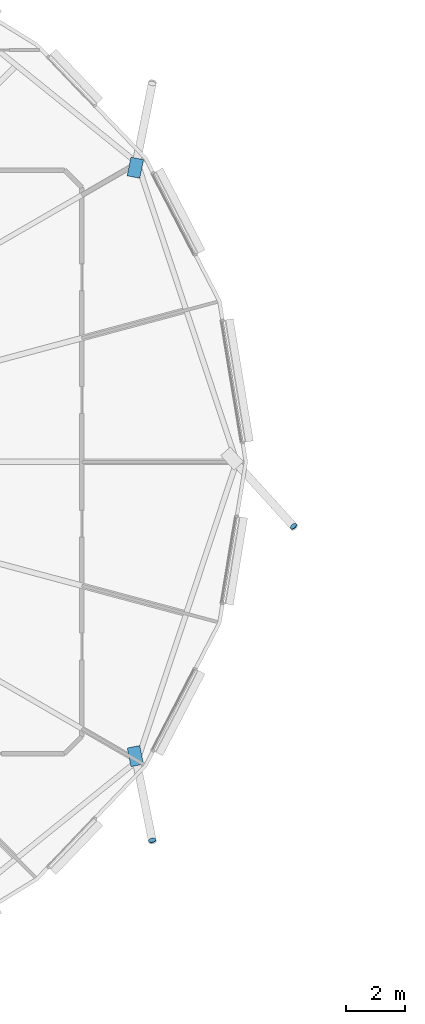
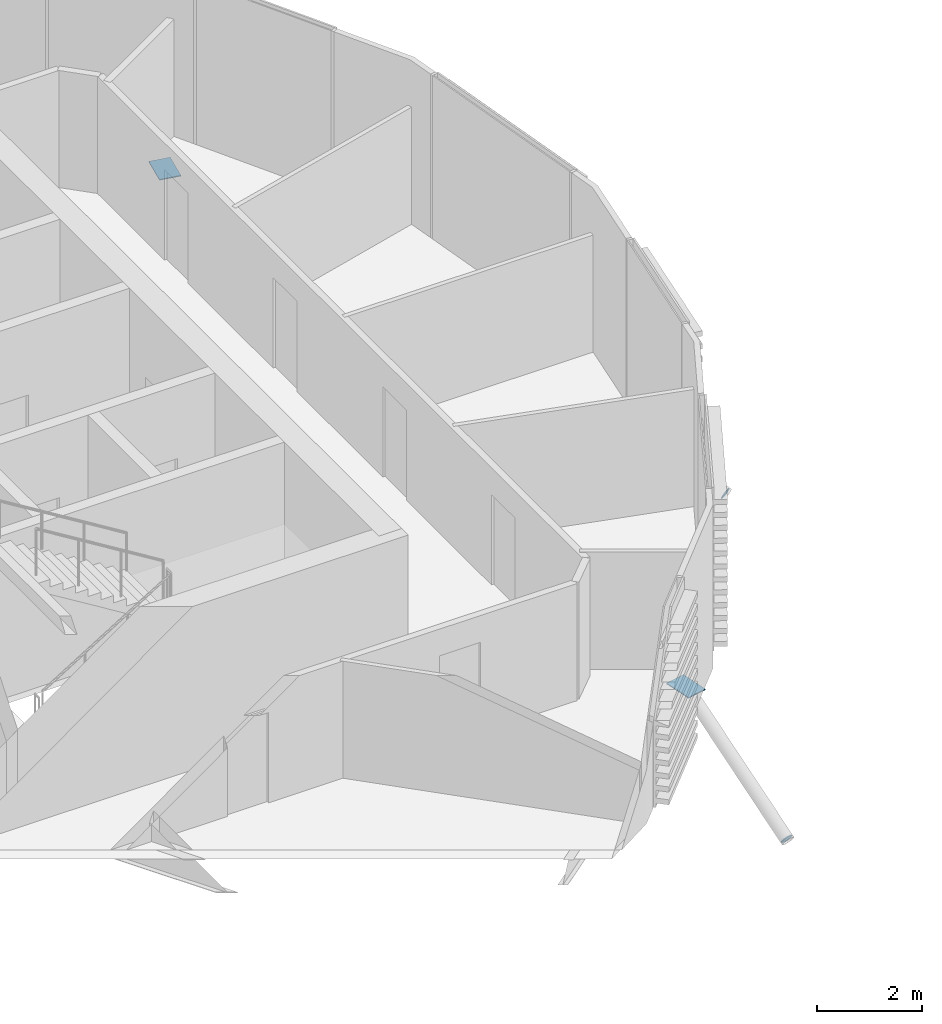
# One storey, part 28 of 41: 4 discrete accessories.
"""IFC4 building model written with IfcOpenShell, lengths in metres."""

from ifc_helpers import new_model, si_unit, direction, frame, origin, origin_2d, place, context, subcontext, project, spatial, polyline, rectangle, circle, outline, extrude, material, material_profile, profile_set, type_object, element, save


model = new_model("IFC4")

# Units and contexts
model_context = context("Model", 3, precision=1e-05, world=origin(), true_north=direction((0.0, 1.0)))
body_context = subcontext(model_context, "Body", "Model", "MODEL_VIEW")
ifc_project = project(units=[si_unit("LENGTHUNIT", "METRE"), si_unit("AREAUNIT", "SQUARE_METRE"), si_unit("VOLUMEUNIT", "CUBIC_METRE"), si_unit("PLANEANGLEUNIT", "RADIAN"), si_unit("MASSUNIT", "GRAM", prefix="KILO")], contexts=[model_context])

# Site, building, storey
site_placement = place(None, origin())
site = spatial("IfcSite", under=ifc_project, at=site_placement, CompositionType="ELEMENT")
building_placement = place(site_placement, origin())
building = spatial("IfcBuilding", under=site, at=building_placement, Name="Rimbun Link Towers", CompositionType="ELEMENT")
storey_placement = place(building_placement, frame((0.0, 0.0, 214.300048828125)))
storey = spatial("IfcBuildingStorey", under=building, at=storey_placement, Name="L52", CompositionType="ELEMENT", Elevation=214.300048828125)

# Discrete accessories
ifc_material_1 = material(Name="Steel S355J2H", Category="steel")
ifc_material_profile_1 = material_profile(ifc_material_1, circle(Radius=0.1240234375, at=origin_2d()), Name="PL D248")
ifc_profile_set_1 = profile_set([ifc_material_profile_1], Name="Steel S355J2H")
discrete_accessory_type_1 = type_object("IfcDiscreteAccessoryType", Name="Link foot sealing plate D248X20", PredefinedType="BRACKET", material=ifc_profile_set_1)
for number, where, z_axis, x_axis, name in (
    (1, (-9.025146484375, -2.168701171875, -2.578369140625), (0.563960997422, -0.625261105838, -0.539440954056), (0.742569723569, 0.669768770278, 0.0), "Link foot sealing plate T1 L52 00"),
    (2, (-13.7900390625, -12.7626953125, -2.512939453125), (0.1584188281, -0.804280204199, -0.572744993899), (0.981148273046, 0.193256478024, 0.0), "Link foot sealing plate T1 L52 22"),
):
    element("IfcDiscreteAccessory", number, at=place(storey_placement, frame(where, z_axis=z_axis, x_axis=x_axis)), inside=storey, type_object=discrete_accessory_type_1, Name=name, PredefinedType="BRACKET", context=body_context, shape_type="SweptSolid", body=[
        extrude(circle(Radius=0.1240234375, at=origin_2d()), origin(), (0.0, 0.0, 1.0), 0.02001953125),
    ])
ifc_material_2 = material(Name="Steel S355J2H", Category="steel")
ifc_material_profile_2 = material_profile(ifc_material_2, rectangle(XDim=0.43310546875, YDim=0.43310546875, at=origin_2d()), Name="PL 433x433")
ifc_profile_set_2 = profile_set([ifc_material_profile_2], Name="Steel S355J2H")
discrete_accessory_type_2 = type_object("IfcDiscreteAccessoryType", Name="Link head end plate 433X20", PredefinedType="BRACKET", material=ifc_profile_set_2)
discrete_accessory_1_placement = place(storey_placement, frame((0.0, 0.0, -0.51513671875)))
element("IfcDiscreteAccessory", 3, at=discrete_accessory_1_placement, inside=storey, type_object=discrete_accessory_type_2, Name="Link head end plate T1 L52 02", PredefinedType="BRACKET", context=body_context, shape_type="SweptSolid", body=[
    extrude(outline(polyline([(-14.2080078125, 9.569091796875), (-14.08251953125, 10.197021484375), (-14.507080078125, 10.281982421875), (-14.6328125, 9.65380859375), (-14.2080078125, 9.569091796875)])), origin(), (0.0, 0.0, 1.0), 0.02001953125),
])
discrete_accessory_2_placement = place(storey_placement, frame((0.0, 0.0, -0.51513671875)))
element("IfcDiscreteAccessory", 4, at=discrete_accessory_2_placement, inside=storey, type_object=discrete_accessory_type_2, Name="Link head end plate T1 L52 22", PredefinedType="BRACKET", context=body_context, shape_type="SweptSolid", body=[
    extrude(outline(polyline([(-14.6328125, -9.65380859375), (-14.507080078125, -10.281982421875), (-14.08251953125, -10.197021484375), (-14.2080078125, -9.569091796875), (-14.6328125, -9.65380859375)])), origin(), (0.0, 0.0, 1.0), 0.02001953125),
])

save(model, "model.ifc")
